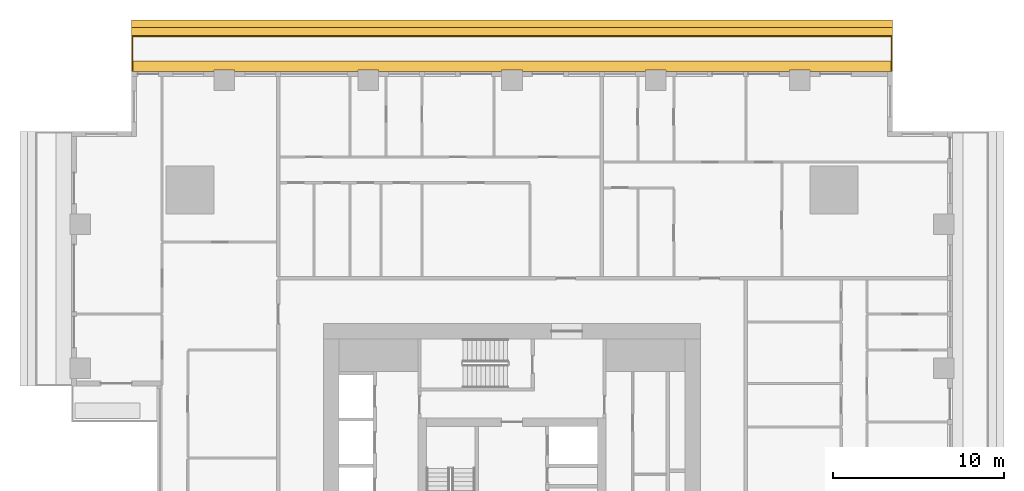
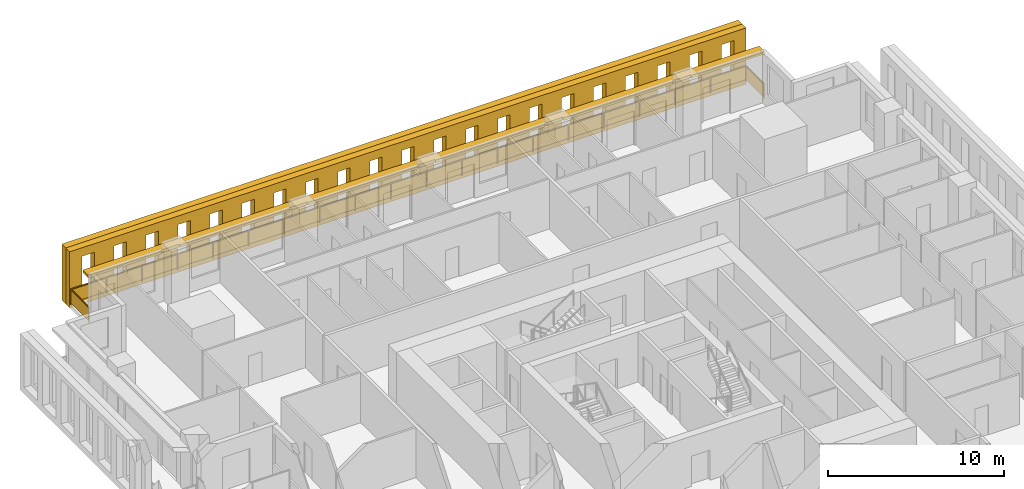
# One storey, part 15 of 15: 3 shading devices, 1 railing.
"""IFC4 building model written with IfcOpenShell, lengths in metres."""

from ifc_helpers import new_model, si_unit, direction, frame, origin, origin_2d, place, context, subcontext, project, spatial, polyline, rectangle, outline, extrude, material, layer, layer_set, type_object, element, save


model = new_model("IFC4")

# Units and contexts
model_context = context("Model", 3, precision=1e-05, world=origin(), true_north=direction((0.0, 1.0)))
body_context = subcontext(model_context, "Body", "Model", "MODEL_VIEW")
ifc_project = project(units=[si_unit("LENGTHUNIT", "METRE"), si_unit("AREAUNIT", "SQUARE_METRE"), si_unit("VOLUMEUNIT", "CUBIC_METRE"), si_unit("PLANEANGLEUNIT", "RADIAN"), si_unit("MASSUNIT", "GRAM", prefix="KILO")], contexts=[model_context])

# Site, building, storey
site_placement = place(None, origin())
site = spatial("IfcSite", under=ifc_project, at=site_placement, CompositionType="ELEMENT")
building_placement = place(site_placement, origin())
building = spatial("IfcBuilding", under=site, at=building_placement, Name="Khepri Terraces", CompositionType="ELEMENT")
storey_placement = place(building_placement, frame((0.0, 0.0, 94.800048828125)))
storey = spatial("IfcBuildingStorey", under=building, at=storey_placement, Name="L22", CompositionType="ELEMENT", Elevation=94.800048828125)

# Railing
ifc_material_1 = material(Name="Stainless steel grade 316", Category="steel")
railing_type = type_object("IfcRailingType", Name="GRD-BAL-1100", PredefinedType="GUARDRAIL", material=ifc_material_1)
railing_placement = place(storey_placement, frame((22.169921875, 25.719970703125, 0.0)))
element("IfcRailing", 1, at=railing_placement, inside=storey, type_object=railing_type, Name="Balcony guard L22 N", PredefinedType="GUARDRAIL", context=body_context, shape_type="SweptSolid", body=[
    extrude(rectangle(XDim=0.050048828125, YDim=0.06005859375, at=origin_2d()), frame((0.0, 0.0, 1.070068359375), z_axis=(0.0, 1.0, 0.0), x_axis=(-1.0, 0.0, 0.0)), (0.0, 0.0, 1.0), 2.050048828125),
    extrude(rectangle(XDim=2.0, YDim=0.011962890625, at=origin_2d()), frame((0.0, 1.02490234375, 0.10009765625), z_axis=(0.0, 0.0, 1.0), x_axis=(0.0, 1.0, 0.0)), (0.0, 0.0, 1.0), 0.93994140625),
    extrude(rectangle(XDim=0.050048828125, YDim=0.06005859375, at=origin_2d()), frame((0.0, 2.050048828125, 1.070068359375), z_axis=(-1.0, 0.0, 0.0), x_axis=(0.0, -1.0, 0.0)), (0.0, 0.0, 1.0), 44.33984375),
    extrude(rectangle(XDim=2.28369140625, YDim=0.011962890625, at=origin_2d()), frame((-1.166748046875, 2.050048828125, 0.10009765625), z_axis=(0.0, 0.0, 1.0), x_axis=(-1.0, 0.0, 0.0)), (0.0, 0.0, 1.0), 0.93994140625),
    extrude(rectangle(XDim=2.28369140625, YDim=0.011962890625, at=origin_2d()), frame((-3.50048828125, 2.050048828125, 0.10009765625), z_axis=(0.0, 0.0, 1.0), x_axis=(-1.0, 0.0, 0.0)), (0.0, 0.0, 1.0), 0.93994140625),
    extrude(rectangle(XDim=2.28369140625, YDim=0.011962890625, at=origin_2d()), frame((-5.834228515625, 2.050048828125, 0.10009765625), z_axis=(0.0, 0.0, 1.0), x_axis=(-1.0, 0.0, 0.0)), (0.0, 0.0, 1.0), 0.93994140625),
    extrude(rectangle(XDim=2.28369140625, YDim=0.011962890625, at=origin_2d()), frame((-8.16796875, 2.050048828125, 0.10009765625), z_axis=(0.0, 0.0, 1.0), x_axis=(-1.0, 0.0, 0.0)), (0.0, 0.0, 1.0), 0.93994140625),
    extrude(rectangle(XDim=2.28369140625, YDim=0.011962890625, at=origin_2d()), frame((-10.50146484375, 2.050048828125, 0.10009765625), z_axis=(0.0, 0.0, 1.0), x_axis=(-1.0, 0.0, 0.0)), (0.0, 0.0, 1.0), 0.93994140625),
    extrude(rectangle(XDim=2.28369140625, YDim=0.011962890625, at=origin_2d()), frame((-12.835205078125, 2.050048828125, 0.10009765625), z_axis=(0.0, 0.0, 1.0), x_axis=(-1.0, 0.0, 0.0)), (0.0, 0.0, 1.0), 0.93994140625),
    extrude(rectangle(XDim=2.28369140625, YDim=0.011962890625, at=origin_2d()), frame((-15.1689453125, 2.050048828125, 0.10009765625), z_axis=(0.0, 0.0, 1.0), x_axis=(-1.0, 0.0, 0.0)), (0.0, 0.0, 1.0), 0.93994140625),
    extrude(rectangle(XDim=2.28369140625, YDim=0.011962890625, at=origin_2d()), frame((-17.502685546875, 2.050048828125, 0.10009765625), z_axis=(0.0, 0.0, 1.0), x_axis=(-1.0, 0.0, 0.0)), (0.0, 0.0, 1.0), 0.93994140625),
    extrude(rectangle(XDim=2.28369140625, YDim=0.011962890625, at=origin_2d()), frame((-19.836181640625, 2.050048828125, 0.10009765625), z_axis=(0.0, 0.0, 1.0), x_axis=(-1.0, 0.0, 0.0)), (0.0, 0.0, 1.0), 0.93994140625),
    extrude(rectangle(XDim=2.28369140625, YDim=0.011962890625, at=origin_2d()), frame((-22.169921875, 2.050048828125, 0.10009765625), z_axis=(0.0, 0.0, 1.0), x_axis=(-1.0, 0.0, 0.0)), (0.0, 0.0, 1.0), 0.93994140625),
    extrude(rectangle(XDim=2.28369140625, YDim=0.011962890625, at=origin_2d()), frame((-24.503662109375, 2.050048828125, 0.10009765625), z_axis=(0.0, 0.0, 1.0), x_axis=(-1.0, 0.0, 0.0)), (0.0, 0.0, 1.0), 0.93994140625),
    extrude(rectangle(XDim=2.28369140625, YDim=0.011962890625, at=origin_2d()), frame((-26.837158203125, 2.050048828125, 0.10009765625), z_axis=(0.0, 0.0, 1.0), x_axis=(-1.0, 0.0, 0.0)), (0.0, 0.0, 1.0), 0.93994140625),
    extrude(rectangle(XDim=2.28369140625, YDim=0.011962890625, at=origin_2d()), frame((-29.1708984375, 2.050048828125, 0.10009765625), z_axis=(0.0, 0.0, 1.0), x_axis=(-1.0, 0.0, 0.0)), (0.0, 0.0, 1.0), 0.93994140625),
    extrude(rectangle(XDim=2.28369140625, YDim=0.011962890625, at=origin_2d()), frame((-31.504638671875, 2.050048828125, 0.10009765625), z_axis=(0.0, 0.0, 1.0), x_axis=(-1.0, 0.0, 0.0)), (0.0, 0.0, 1.0), 0.93994140625),
    extrude(rectangle(XDim=2.28369140625, YDim=0.011962890625, at=origin_2d()), frame((-33.83837890625, 2.050048828125, 0.10009765625), z_axis=(0.0, 0.0, 1.0), x_axis=(-1.0, 0.0, 0.0)), (0.0, 0.0, 1.0), 0.93994140625),
    extrude(rectangle(XDim=2.28369140625, YDim=0.011962890625, at=origin_2d()), frame((-36.171875, 2.050048828125, 0.10009765625), z_axis=(0.0, 0.0, 1.0), x_axis=(-1.0, 0.0, 0.0)), (0.0, 0.0, 1.0), 0.93994140625),
    extrude(rectangle(XDim=2.28369140625, YDim=0.011962890625, at=origin_2d()), frame((-38.505615234375, 2.050048828125, 0.10009765625), z_axis=(0.0, 0.0, 1.0), x_axis=(-1.0, 0.0, 0.0)), (0.0, 0.0, 1.0), 0.93994140625),
    extrude(rectangle(XDim=2.28369140625, YDim=0.011962890625, at=origin_2d()), frame((-40.83935546875, 2.050048828125, 0.10009765625), z_axis=(0.0, 0.0, 1.0), x_axis=(-1.0, 0.0, 0.0)), (0.0, 0.0, 1.0), 0.93994140625),
    extrude(rectangle(XDim=2.28369140625, YDim=0.011962890625, at=origin_2d()), frame((-43.173095703125, 2.050048828125, 0.10009765625), z_axis=(0.0, 0.0, 1.0), x_axis=(-1.0, 0.0, 0.0)), (0.0, 0.0, 1.0), 0.93994140625),
    extrude(rectangle(XDim=0.050048828125, YDim=0.06005859375, at=origin_2d()), frame((-44.33984375, 2.050048828125, 1.070068359375), z_axis=(0.0, -1.0, 0.0), x_axis=(1.0, 0.0, 0.0)), (0.0, 0.0, 1.0), 2.050048828125),
    extrude(rectangle(XDim=2.0, YDim=0.011962890625, at=origin_2d()), frame((-44.33984375, 1.02490234375, 0.10009765625), z_axis=(0.0, 0.0, 1.0), x_axis=(0.0, -1.0, 0.0)), (0.0, 0.0, 1.0), 0.93994140625),
    extrude(rectangle(XDim=0.050048828125, YDim=0.050048828125, at=origin_2d()), origin(), (0.0, 0.0, 1.0), 1.0400390625),
    extrude(rectangle(XDim=0.050048828125, YDim=0.050048828125, at=origin_2d()), frame((0.0, 2.050048828125, 0.0)), (0.0, 0.0, 1.0), 1.0400390625),
    extrude(rectangle(XDim=0.050048828125, YDim=0.050048828125, at=origin_2d()), frame((-2.333740234375, 2.050048828125, 0.0)), (0.0, 0.0, 1.0), 1.0400390625),
    extrude(rectangle(XDim=0.050048828125, YDim=0.050048828125, at=origin_2d()), frame((-4.667236328125, 2.050048828125, 0.0)), (0.0, 0.0, 1.0), 1.0400390625),
    extrude(rectangle(XDim=0.050048828125, YDim=0.050048828125, at=origin_2d()), frame((-7.0009765625, 2.050048828125, 0.0)), (0.0, 0.0, 1.0), 1.0400390625),
    extrude(rectangle(XDim=0.050048828125, YDim=0.050048828125, at=origin_2d()), frame((-9.334716796875, 2.050048828125, 0.0)), (0.0, 0.0, 1.0), 1.0400390625),
    extrude(rectangle(XDim=0.050048828125, YDim=0.050048828125, at=origin_2d()), frame((-11.66845703125, 2.050048828125, 0.0)), (0.0, 0.0, 1.0), 1.0400390625),
    extrude(rectangle(XDim=0.050048828125, YDim=0.050048828125, at=origin_2d()), frame((-14.001953125, 2.050048828125, 0.0)), (0.0, 0.0, 1.0), 1.0400390625),
    extrude(rectangle(XDim=0.050048828125, YDim=0.050048828125, at=origin_2d()), frame((-16.335693359375, 2.050048828125, 0.0)), (0.0, 0.0, 1.0), 1.0400390625),
    extrude(rectangle(XDim=0.050048828125, YDim=0.050048828125, at=origin_2d()), frame((-18.66943359375, 2.050048828125, 0.0)), (0.0, 0.0, 1.0), 1.0400390625),
    extrude(rectangle(XDim=0.050048828125, YDim=0.050048828125, at=origin_2d()), frame((-21.003173828125, 2.050048828125, 0.0)), (0.0, 0.0, 1.0), 1.0400390625),
    extrude(rectangle(XDim=0.050048828125, YDim=0.050048828125, at=origin_2d()), frame((-23.336669921875, 2.050048828125, 0.0)), (0.0, 0.0, 1.0), 1.0400390625),
    extrude(rectangle(XDim=0.050048828125, YDim=0.050048828125, at=origin_2d()), frame((-25.67041015625, 2.050048828125, 0.0)), (0.0, 0.0, 1.0), 1.0400390625),
    extrude(rectangle(XDim=0.050048828125, YDim=0.050048828125, at=origin_2d()), frame((-28.004150390625, 2.050048828125, 0.0)), (0.0, 0.0, 1.0), 1.0400390625),
    extrude(rectangle(XDim=0.050048828125, YDim=0.050048828125, at=origin_2d()), frame((-30.337890625, 2.050048828125, 0.0)), (0.0, 0.0, 1.0), 1.0400390625),
    extrude(rectangle(XDim=0.050048828125, YDim=0.050048828125, at=origin_2d()), frame((-32.67138671875, 2.050048828125, 0.0)), (0.0, 0.0, 1.0), 1.0400390625),
    extrude(rectangle(XDim=0.050048828125, YDim=0.050048828125, at=origin_2d()), frame((-35.005126953125, 2.050048828125, 0.0)), (0.0, 0.0, 1.0), 1.0400390625),
    extrude(rectangle(XDim=0.050048828125, YDim=0.050048828125, at=origin_2d()), frame((-37.3388671875, 2.050048828125, 0.0)), (0.0, 0.0, 1.0), 1.0400390625),
    extrude(rectangle(XDim=0.050048828125, YDim=0.050048828125, at=origin_2d()), frame((-39.672607421875, 2.050048828125, 0.0)), (0.0, 0.0, 1.0), 1.0400390625),
    extrude(rectangle(XDim=0.050048828125, YDim=0.050048828125, at=origin_2d()), frame((-42.006103515625, 2.050048828125, 0.0)), (0.0, 0.0, 1.0), 1.0400390625),
    extrude(rectangle(XDim=0.050048828125, YDim=0.050048828125, at=origin_2d()), frame((-44.33984375, 2.050048828125, 0.0)), (0.0, 0.0, 1.0), 1.0400390625),
    extrude(rectangle(XDim=0.050048828125, YDim=0.050048828125, at=origin_2d()), frame((-44.33984375, 0.0, 0.0)), (0.0, 0.0, 1.0), 1.0400390625),
])

# Shading devices
ifc_material_2 = material(Name="Precast concrete C50/60 warm stone", Category="masonry")
shading_device_type_1 = type_object("IfcShadingDeviceType", Name="SCR-CELL-INNER-450", PredefinedType="USERDEFINED", material=ifc_material_2)
shading_device_1_placement = place(storey_placement, frame((22.219970703125, 27.820068359375, -0.25), z_axis=(0.0, 1.0, 0.0), x_axis=(-1.0, 0.0, 0.0)))
element("IfcShadingDevice", 2, at=shading_device_1_placement, inside=storey, type_object=shading_device_type_1, Name="Cell screen L22 N in", ObjectType="SCREEN", PredefinedType="USERDEFINED", context=body_context, shape_type="SweptSolid", body=[
    extrude(outline(polyline([(0.0, 0.0), (44.43994140625, 0.0), (44.43994140625, 3.89990234375), (0.0, 3.89990234375), (0.0, 0.0)]), holes=[polyline([(0.818359375, 0.699951171875), (1.62158203125, 0.699951171875), (1.62158203125, 3.300048828125), (0.818359375, 3.300048828125), (0.818359375, 0.699951171875)]), polyline([(2.91845703125, 0.699951171875), (3.7216796875, 0.699951171875), (3.7216796875, 3.300048828125), (2.91845703125, 3.300048828125), (2.91845703125, 0.699951171875)]), polyline([(5.018310546875, 0.699951171875), (5.821533203125, 0.699951171875), (5.821533203125, 3.300048828125), (5.018310546875, 3.300048828125), (5.018310546875, 0.699951171875)]), polyline([(7.118408203125, 0.699951171875), (7.921630859375, 0.699951171875), (7.921630859375, 3.300048828125), (7.118408203125, 3.300048828125), (7.118408203125, 0.699951171875)]), polyline([(9.218505859375, 0.699951171875), (10.021484375, 0.699951171875), (10.021484375, 3.300048828125), (9.218505859375, 3.300048828125), (9.218505859375, 0.699951171875)]), polyline([(11.318359375, 0.699951171875), (12.12158203125, 0.699951171875), (12.12158203125, 3.300048828125), (11.318359375, 3.300048828125), (11.318359375, 0.699951171875)]), polyline([(13.41845703125, 0.699951171875), (14.2216796875, 0.699951171875), (14.2216796875, 3.300048828125), (13.41845703125, 3.300048828125), (13.41845703125, 0.699951171875)]), polyline([(15.518310546875, 0.699951171875), (16.321533203125, 0.699951171875), (16.321533203125, 3.300048828125), (15.518310546875, 3.300048828125), (15.518310546875, 0.699951171875)]), polyline([(17.618408203125, 0.699951171875), (18.421630859375, 0.699951171875), (18.421630859375, 3.300048828125), (17.618408203125, 3.300048828125), (17.618408203125, 0.699951171875)]), polyline([(19.718505859375, 0.699951171875), (20.521484375, 0.699951171875), (20.521484375, 3.300048828125), (19.718505859375, 3.300048828125), (19.718505859375, 0.699951171875)]), polyline([(21.818359375, 0.699951171875), (22.62158203125, 0.699951171875), (22.62158203125, 3.300048828125), (21.818359375, 3.300048828125), (21.818359375, 0.699951171875)]), polyline([(23.91845703125, 0.699951171875), (24.7216796875, 0.699951171875), (24.7216796875, 3.300048828125), (23.91845703125, 3.300048828125), (23.91845703125, 0.699951171875)]), polyline([(26.018310546875, 0.699951171875), (26.821533203125, 0.699951171875), (26.821533203125, 3.300048828125), (26.018310546875, 3.300048828125), (26.018310546875, 0.699951171875)]), polyline([(28.118408203125, 0.699951171875), (28.921630859375, 0.699951171875), (28.921630859375, 3.300048828125), (28.118408203125, 3.300048828125), (28.118408203125, 0.699951171875)]), polyline([(30.218505859375, 0.699951171875), (31.021484375, 0.699951171875), (31.021484375, 3.300048828125), (30.218505859375, 3.300048828125), (30.218505859375, 0.699951171875)]), polyline([(32.318359375, 0.699951171875), (33.12158203125, 0.699951171875), (33.12158203125, 3.300048828125), (32.318359375, 3.300048828125), (32.318359375, 0.699951171875)]), polyline([(34.41845703125, 0.699951171875), (35.2216796875, 0.699951171875), (35.2216796875, 3.300048828125), (34.41845703125, 3.300048828125), (34.41845703125, 0.699951171875)]), polyline([(36.518310546875, 0.699951171875), (37.321533203125, 0.699951171875), (37.321533203125, 3.300048828125), (36.518310546875, 3.300048828125), (36.518310546875, 0.699951171875)]), polyline([(38.618408203125, 0.699951171875), (39.421630859375, 0.699951171875), (39.421630859375, 3.300048828125), (38.618408203125, 3.300048828125), (38.618408203125, 0.699951171875)]), polyline([(40.718505859375, 0.699951171875), (41.521484375, 0.699951171875), (41.521484375, 3.300048828125), (40.718505859375, 3.300048828125), (40.718505859375, 0.699951171875)]), polyline([(42.818359375, 0.699951171875), (43.62158203125, 0.699951171875), (43.62158203125, 3.300048828125), (42.818359375, 3.300048828125), (42.818359375, 0.699951171875)])]), origin(), (0.0, 0.0, 1.0), 0.449951171875),
])
shading_device_type_2 = type_object("IfcShadingDeviceType", Name="SCR-CELL-OUTER-450", PredefinedType="USERDEFINED", material=ifc_material_2)
shading_device_2_placement = place(storey_placement, frame((22.219970703125, 28.27001953125, -0.25), z_axis=(0.0, 1.0, 0.0), x_axis=(-1.0, 0.0, 0.0)))
element("IfcShadingDevice", 3, at=shading_device_2_placement, inside=storey, type_object=shading_device_type_2, Name="Cell screen L22 N out", ObjectType="SCREEN", PredefinedType="USERDEFINED", context=body_context, shape_type="SweptSolid", body=[
    extrude(outline(polyline([(0.0, 0.0), (44.43994140625, 0.0), (44.43994140625, 3.89990234375), (0.0, 3.89990234375), (0.0, 0.0)]), holes=[polyline([(0.468505859375, 0.449951171875), (1.9716796875, 0.449951171875), (1.9716796875, 3.550048828125), (0.468505859375, 3.550048828125), (0.468505859375, 0.449951171875)]), polyline([(2.568359375, 0.449951171875), (4.071533203125, 0.449951171875), (4.071533203125, 3.550048828125), (2.568359375, 3.550048828125), (2.568359375, 0.449951171875)]), polyline([(4.66845703125, 0.449951171875), (6.171630859375, 0.449951171875), (6.171630859375, 3.550048828125), (4.66845703125, 3.550048828125), (4.66845703125, 0.449951171875)]), polyline([(6.768310546875, 0.449951171875), (8.271484375, 0.449951171875), (8.271484375, 3.550048828125), (6.768310546875, 3.550048828125), (6.768310546875, 0.449951171875)]), polyline([(8.868408203125, 0.449951171875), (10.37158203125, 0.449951171875), (10.37158203125, 3.550048828125), (8.868408203125, 3.550048828125), (8.868408203125, 0.449951171875)]), polyline([(10.968505859375, 0.449951171875), (12.4716796875, 0.449951171875), (12.4716796875, 3.550048828125), (10.968505859375, 3.550048828125), (10.968505859375, 0.449951171875)]), polyline([(13.068359375, 0.449951171875), (14.571533203125, 0.449951171875), (14.571533203125, 3.550048828125), (13.068359375, 3.550048828125), (13.068359375, 0.449951171875)]), polyline([(15.16845703125, 0.449951171875), (16.671630859375, 0.449951171875), (16.671630859375, 3.550048828125), (15.16845703125, 3.550048828125), (15.16845703125, 0.449951171875)]), polyline([(17.268310546875, 0.449951171875), (18.771484375, 0.449951171875), (18.771484375, 3.550048828125), (17.268310546875, 3.550048828125), (17.268310546875, 0.449951171875)]), polyline([(19.368408203125, 0.449951171875), (20.87158203125, 0.449951171875), (20.87158203125, 3.550048828125), (19.368408203125, 3.550048828125), (19.368408203125, 0.449951171875)]), polyline([(21.468505859375, 0.449951171875), (22.9716796875, 0.449951171875), (22.9716796875, 3.550048828125), (21.468505859375, 3.550048828125), (21.468505859375, 0.449951171875)]), polyline([(23.568359375, 0.449951171875), (25.071533203125, 0.449951171875), (25.071533203125, 3.550048828125), (23.568359375, 3.550048828125), (23.568359375, 0.449951171875)]), polyline([(25.66845703125, 0.449951171875), (27.171630859375, 0.449951171875), (27.171630859375, 3.550048828125), (25.66845703125, 3.550048828125), (25.66845703125, 0.449951171875)]), polyline([(27.768310546875, 0.449951171875), (29.271484375, 0.449951171875), (29.271484375, 3.550048828125), (27.768310546875, 3.550048828125), (27.768310546875, 0.449951171875)]), polyline([(29.868408203125, 0.449951171875), (31.37158203125, 0.449951171875), (31.37158203125, 3.550048828125), (29.868408203125, 3.550048828125), (29.868408203125, 0.449951171875)]), polyline([(31.968505859375, 0.449951171875), (33.4716796875, 0.449951171875), (33.4716796875, 3.550048828125), (31.968505859375, 3.550048828125), (31.968505859375, 0.449951171875)]), polyline([(34.068359375, 0.449951171875), (35.571533203125, 0.449951171875), (35.571533203125, 3.550048828125), (34.068359375, 3.550048828125), (34.068359375, 0.449951171875)]), polyline([(36.16845703125, 0.449951171875), (37.671630859375, 0.449951171875), (37.671630859375, 3.550048828125), (36.16845703125, 3.550048828125), (36.16845703125, 0.449951171875)]), polyline([(38.268310546875, 0.449951171875), (39.771484375, 0.449951171875), (39.771484375, 3.550048828125), (38.268310546875, 3.550048828125), (38.268310546875, 0.449951171875)]), polyline([(40.368408203125, 0.449951171875), (41.87158203125, 0.449951171875), (41.87158203125, 3.550048828125), (40.368408203125, 3.550048828125), (40.368408203125, 0.449951171875)]), polyline([(42.468505859375, 0.449951171875), (43.9716796875, 0.449951171875), (43.9716796875, 3.550048828125), (42.468505859375, 3.550048828125), (42.468505859375, 0.449951171875)])]), origin(), (0.0, 0.0, 1.0), 0.449951171875),
])
ifc_layer = layer(ifc_material_2, 0.199951171875, Name="Precast concrete C50/60 warm stone", Category="masonry")
ifc_layer_set = layer_set([ifc_layer], Name="Precast concrete C50/60 warm stone")
shading_device_type_3 = type_object("IfcShadingDeviceType", Name="SSH-BAND-STONE-200-N", PredefinedType="USERDEFINED", material=ifc_layer_set)
shading_device_3_placement = place(storey_placement, frame((0.0, 0.0, 3.099853515625)))
element("IfcShadingDevice", 4, at=shading_device_3_placement, inside=storey, type_object=shading_device_type_3, Name="Sunshade band L22 N", ObjectType="SUNSHADE", PredefinedType="USERDEFINED", context=body_context, shape_type="SweptSolid", body=[
    extrude(outline(polyline([(17.39990234375, 25.719970703125), (22.219970703125, 25.719970703125), (22.219970703125, 26.320068359375), (-22.219970703125, 26.320068359375), (-22.219970703125, 25.719970703125), (-17.39990234375, 25.719970703125), (-17.39990234375, 25.800048828125), (-16.199951171875, 25.800048828125), (-16.199951171875, 25.719970703125), (-9.0, 25.719970703125), (-9.0, 25.800048828125), (-7.800048828125, 25.800048828125), (-7.800048828125, 25.719970703125), (-0.60009765625, 25.719970703125), (-0.60009765625, 25.800048828125), (0.60009765625, 25.800048828125), (0.60009765625, 25.719970703125), (7.800048828125, 25.719970703125), (7.800048828125, 25.800048828125), (9.0, 25.800048828125), (9.0, 25.719970703125), (16.199951171875, 25.719970703125), (16.199951171875, 25.800048828125), (17.39990234375, 25.800048828125), (17.39990234375, 25.719970703125)])), origin(), (0.0, 0.0, 1.0), 0.2001953125),
])

save(model, "model.ifc")
